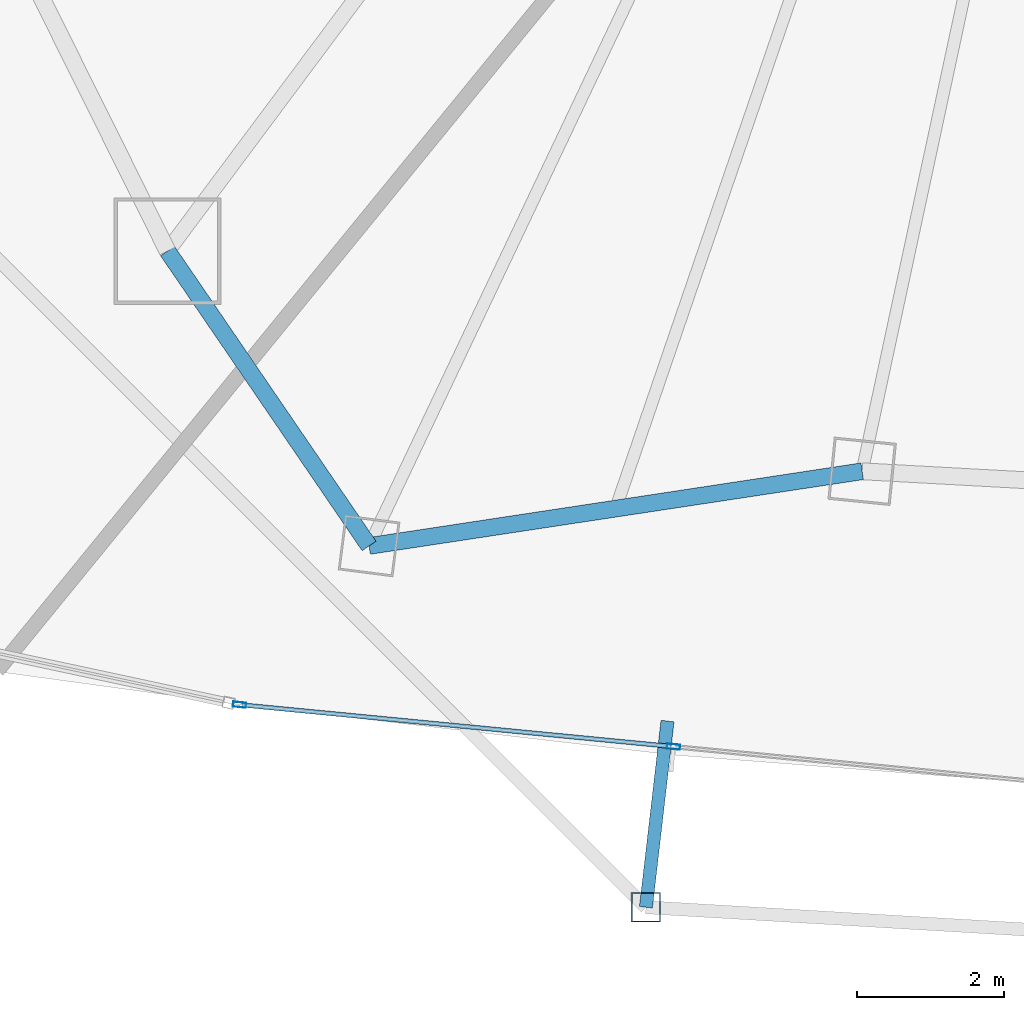
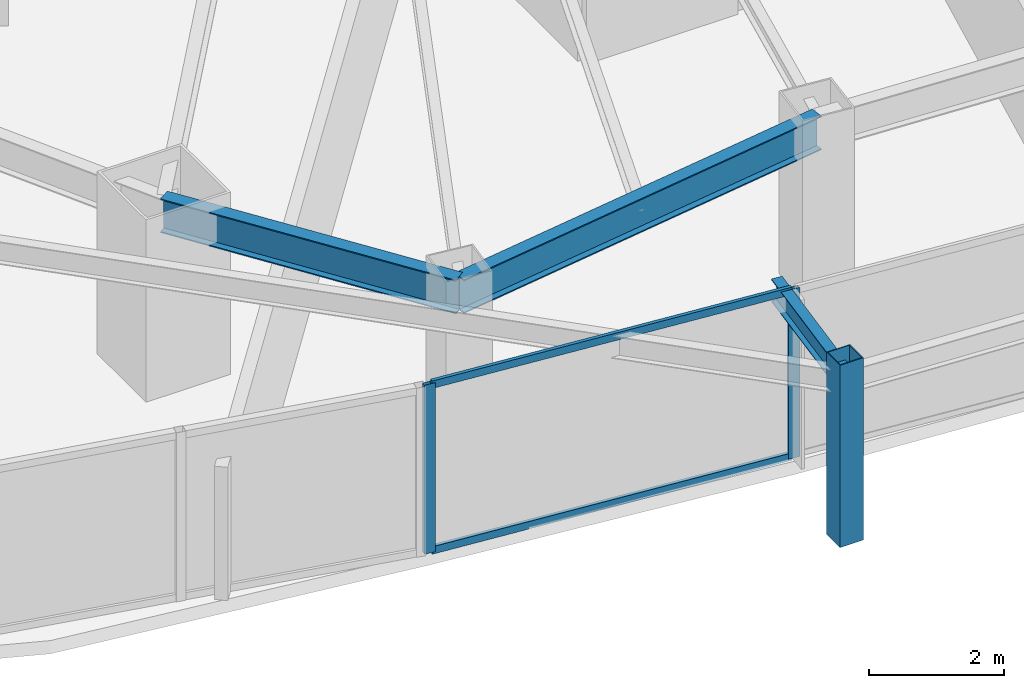
# One storey, part 4 of 33: 5 members, 3 beams, 1 element without a shape of its own.
"""IFC4 building model written with IfcOpenShell, lengths in metres."""

from ifc_helpers import new_model, si_unit, direction, frame, origin, origin_2d, place, context, subcontext, project, spatial, hollow_rectangle, i_section, extrude, material, layer, layer_set, material_profile, profile_set, type_object, element, aggregate, save


model = new_model("IFC4")

# Units and contexts
model_context = context("Model", 3, precision=1e-05, world=origin(), true_north=direction((0.0, 1.0)))
body_context = subcontext(model_context, "Body", "Model", "MODEL_VIEW")
ifc_project = project(units=[si_unit("LENGTHUNIT", "METRE"), si_unit("AREAUNIT", "SQUARE_METRE"), si_unit("VOLUMEUNIT", "CUBIC_METRE"), si_unit("PLANEANGLEUNIT", "RADIAN"), si_unit("MASSUNIT", "GRAM", prefix="KILO")], contexts=[model_context])

# Site, building, storey
site_placement = place(None, origin())
site = spatial("IfcSite", under=ifc_project, at=site_placement, CompositionType="ELEMENT")
building_placement = place(site_placement, origin())
building = spatial("IfcBuilding", under=site, at=building_placement, Name="Orvanel Arch Residences", CompositionType="ELEMENT")
storey_placement = place(building_placement, frame((0.0, 0.0, 119.89990234375)))
storey = spatial("IfcBuildingStorey", under=building, at=storey_placement, Name="L33", CompositionType="ELEMENT", Elevation=119.89990234375)

# Curtain wall, members
ifc_material_1 = material(Name="Bronze-anodised aluminium AA6063-T6", Category="aluminium")
ifc_layer = layer(ifc_material_1, 0.179931640625)
ifc_layer_set = layer_set([ifc_layer], Name="Bronze-anodised aluminium AA6063-T6")
curtain_wall_type = type_object("IfcCurtainWallType", Name="CW3-MID-SYS", PredefinedType="NOTDEFINED", material=ifc_layer_set)
curtain_wall_placement = place(storey_placement, origin())
curtain_wall = element("IfcCurtainWall", 1, at=curtain_wall_placement, inside=storey, type_object=curtain_wall_type, Name="L33 CW3-MID-SYS Unitised Curtain Wall", PredefinedType="NOTDEFINED")
ifc_material_profile_1 = material_profile(ifc_material_1, hollow_rectangle(XDim=0.070068359375, YDim=0.179931640625, WallThickness=0.00439453125, at=origin_2d()), Name="ALU180x70x4.5")
ifc_profile_set_1 = profile_set([ifc_material_profile_1], Name="Bronze-anodised aluminium AA6063-T6")
member_type_1 = type_object("IfcMemberType", Name="MUL-180x70", PredefinedType="MULLION", material=ifc_profile_set_1)
member_1_placement = place(storey_placement, frame((15.178955078125, 4.1796875, 0.0), z_axis=(0.0, 0.0, 1.0), x_axis=(0.09620902607, 0.995361152197, 0.0)))
member_1 = element("IfcMember", 2, at=member_1_placement, type_object=member_type_1, Name="CW-S3 mullion 1", PredefinedType="MULLION", context=body_context, shape_type="SweptSolid", body=[
    extrude(hollow_rectangle(XDim=0.070068359375, YDim=0.179931640625, WallThickness=0.00439453125, at=origin_2d()), origin(), (0.0, 0.0, 1.0), 3.06005859375),
])
member_2_placement = place(storey_placement, frame((21.08251953125, 3.60888671875, 0.0), z_axis=(0.0, 0.0, 1.0), x_axis=(0.09620902607, 0.995361152197, 0.0)))
member_2 = element("IfcMember", 3, at=member_2_placement, type_object=member_type_1, Name="CW-S3 mullion 2", PredefinedType="MULLION", context=body_context, shape_type="SweptSolid", body=[
    extrude(hollow_rectangle(XDim=0.070068359375, YDim=0.179931640625, WallThickness=0.00439453125, at=origin_2d()), origin(), (0.0, 0.0, 1.0), 3.06005859375),
])

# Beams
ifc_material_2 = material(Name="Structural steel AS/NZS 3679.1 Grade 300 (300 MPa)", Category="steel")
ifc_material_profile_2 = material_profile(ifc_material_2, i_section(OverallWidth=0.177978515625, OverallDepth=0.406005859375, WebThickness=0.0078125, FlangeThickness=0.0126953125, at=origin_2d()), Name="410UB59.7")
ifc_profile_set_2 = profile_set([ifc_material_profile_2], Name="Structural steel AS/NZS 3679.1 Grade 300 (300 MPa)")
beam_type_1 = type_object("IfcBeamType", Name="OB-410UB-EXT", PredefinedType="SPANDREL", material=ifc_profile_set_2)
beam_1_placement = place(storey_placement, frame((21.0009765625, 3.95703125, 2.857177734375), z_axis=(-0.115274576755, -0.993333665972, 0.0), x_axis=(0.993333665972, -0.115274576755, 0.0)))
element("IfcBeam", 4, at=beam_1_placement, inside=storey, type_object=beam_type_1, Name="L33 Outer Frame Radial Tie Beam 05", PredefinedType="SPANDREL", context=body_context, shape_type="SweptSolid", body=[
    extrude(i_section(OverallWidth=0.177978515625, OverallDepth=0.406005859375, WebThickness=0.0078125, FlangeThickness=0.0126953125, at=origin_2d()), origin(), (0.0, 0.0, 1.0), 2.550048828125),
])
ifc_material_profile_3 = material_profile(ifc_material_2, i_section(OverallWidth=0.22900390625, OverallDepth=0.612060546875, WebThickness=0.011962890625, FlangeThickness=0.01953125, at=origin_2d()), Name="610UB125")
ifc_profile_set_3 = profile_set([ifc_material_profile_3], Name="Structural steel AS/NZS 3679.1 Grade 300 (300 MPa)")
beam_type_2 = type_object("IfcBeamType", Name="SP-610UB", PredefinedType="SPANDREL", material=ifc_profile_set_3)
beam_2_placement = place(storey_placement, frame((14.198974609375, 10.35107421875, 2.754150390625), z_axis=(0.564251579852, -0.825602903722, 0.0), x_axis=(0.825602903722, 0.564251579852, 0.0)))
element("IfcBeam", 5, at=beam_2_placement, inside=storey, type_object=beam_type_2, Name="L33 Perimeter Spandrel Beam 03", PredefinedType="SPANDREL", context=body_context, shape_type="SweptSolid", body=[
    extrude(i_section(OverallWidth=0.22900390625, OverallDepth=0.612060546875, WebThickness=0.011962890625, FlangeThickness=0.01953125, at=origin_2d()), origin(), (0.0, 0.0, 1.0), 4.859375),
])
beam_3_placement = place(storey_placement, frame((16.94091796875, 6.339111328125, 2.754150390625), z_axis=(0.988726323014, 0.149733958002, 0.0), x_axis=(-0.149733958002, 0.988726323014, 0.0)))
element("IfcBeam", 6, at=beam_3_placement, inside=storey, type_object=beam_type_2, Name="L33 Perimeter Spandrel Beam 04", PredefinedType="SPANDREL", context=body_context, shape_type="SweptSolid", body=[
    extrude(i_section(OverallWidth=0.22900390625, OverallDepth=0.612060546875, WebThickness=0.011962890625, FlangeThickness=0.01953125, at=origin_2d()), origin(), (0.0, 0.0, 1.0), 6.784423828125),
])

# Member
ifc_material_3 = material(Name="Structural steel AS/NZS 1163 C450L0 (Grade 450)", Category="steel")
ifc_material_profile_4 = material_profile(ifc_material_3, hollow_rectangle(XDim=0.39990234375, YDim=0.39990234375, WallThickness=0.01611328125, at=origin_2d()), Name="SHS400x400x16")
ifc_profile_set_4 = profile_set([ifc_material_profile_4], Name="Structural steel AS/NZS 1163 C450L0 (Grade 450)")
member_type_2 = type_object("IfcMemberType", Name="ST-400SHS-EXT", PredefinedType="STRUT", material=ifc_profile_set_4)
member_3_placement = place(storey_placement, frame((20.70703125, 1.424072265625, 0.0), z_axis=(0.0, 0.0, 1.0), x_axis=(1.0, 0.0, 0.0)))
element("IfcMember", 7, at=member_3_placement, inside=storey, type_object=member_type_2, Name="L33 Outer Perimeter Frame Post 05", PredefinedType="STRUT", context=body_context, shape_type="SweptSolid", body=[
    extrude(hollow_rectangle(XDim=0.39990234375, YDim=0.39990234375, WallThickness=0.01611328125, at=origin_2d()), origin(), (0.0, 0.0, 1.0), 3.300048828125),
])

ifc_material_profile_5 = material_profile(ifc_material_1, hollow_rectangle(XDim=0.06005859375, YDim=0.135009765625, WallThickness=0.00390625, at=origin_2d()), Name="ALU135x60x4")
ifc_profile_set_5 = profile_set([ifc_material_profile_5], Name="Bronze-anodised aluminium AA6063-T6")
member_type_3 = type_object("IfcMemberType", Name="TRN-135x60", PredefinedType="USERDEFINED", material=ifc_profile_set_5)
member_4_placement = place(storey_placement, frame((15.213623046875, 4.17626953125, 0.030029296875), z_axis=(0.99536005659, -0.096220360342, 0.0), x_axis=(0.096220360342, 0.99536005659, 0.0)))
member_4 = element("IfcMember", 8, at=member_4_placement, type_object=member_type_3, Name="CW-S3 transom 1.1", ObjectType="TRANSOM", PredefinedType="USERDEFINED", context=body_context, shape_type="SweptSolid", body=[
    extrude(hollow_rectangle(XDim=0.06005859375, YDim=0.135009765625, WallThickness=0.00390625, at=origin_2d()), origin(), (0.0, 0.0, 1.0), 5.861083984375),
])

member_5_placement = place(storey_placement, frame((15.213623046875, 4.17626953125, 3.030029296875), z_axis=(0.99536005659, -0.096220360342, 0.0), x_axis=(0.096220360342, 0.99536005659, 0.0)))
member_5 = element("IfcMember", 9, at=member_5_placement, type_object=member_type_3, Name="CW-S3 transom 1.2", ObjectType="TRANSOM", PredefinedType="USERDEFINED", context=body_context, shape_type="SweptSolid", body=[
    extrude(hollow_rectangle(XDim=0.06005859375, YDim=0.135009765625, WallThickness=0.00390625, at=origin_2d()), origin(), (0.0, 0.0, 1.0), 5.861083984375),
])

aggregate(curtain_wall, [member_1, member_2, member_4, member_5])

save(model, "model.ifc")
